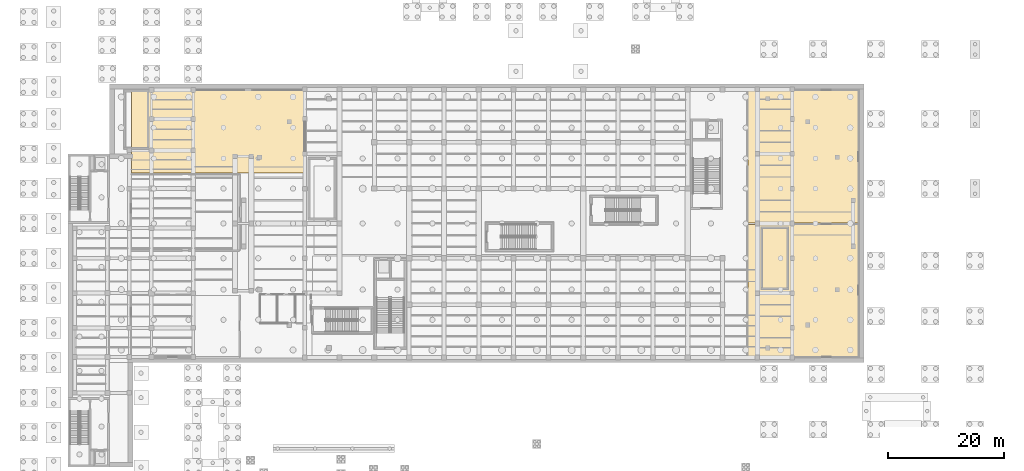
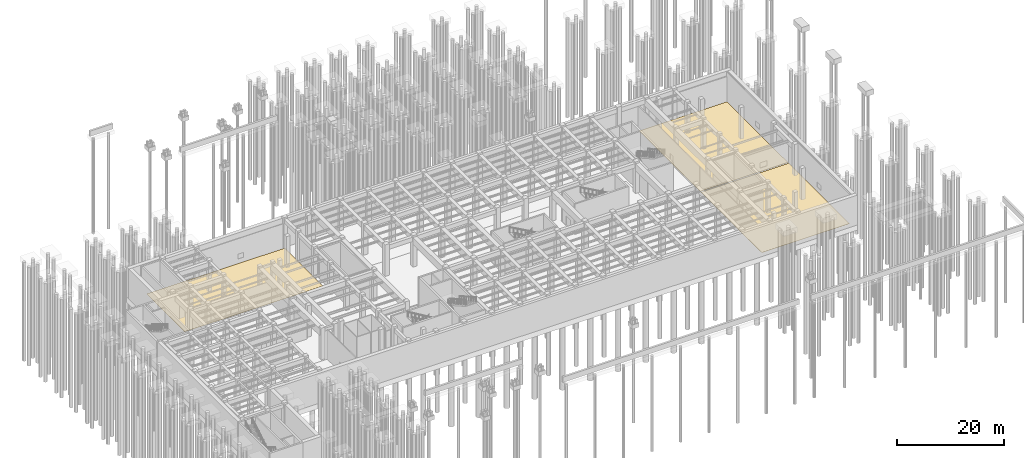
# One storey, part 29 of 30: 3 coverings.
"""IFC4 building model written with IfcOpenShell, lengths in metres."""

from ifc_helpers import new_model, si_unit, direction, frame, origin, place, context, subcontext, project, spatial, polyline, outline, extrude, material, layer, layer_set, type_object, element, save


model = new_model("IFC4")

# Units and contexts
model_context = context("Model", 3, precision=1e-05, world=origin(), true_north=direction((0.0, 1.0)))
body_context = subcontext(model_context, "Body", "Model", "MODEL_VIEW")
ifc_project = project(units=[si_unit("LENGTHUNIT", "METRE"), si_unit("AREAUNIT", "SQUARE_METRE"), si_unit("VOLUMEUNIT", "CUBIC_METRE"), si_unit("PLANEANGLEUNIT", "RADIAN"), si_unit("MASSUNIT", "GRAM", prefix="KILO")], contexts=[model_context])

# Site, building, storey
site_placement = place(None, origin())
site = spatial("IfcSite", under=ifc_project, at=site_placement, CompositionType="ELEMENT")
building_placement = place(site_placement, origin())
building = spatial("IfcBuilding", under=site, at=building_placement, Name="Kolvaren Corner Interchange", CompositionType="ELEMENT")
storey_placement = place(building_placement, frame((0.0, 0.0, -7.199951171875)))
storey = spatial("IfcBuildingStorey", under=building, at=storey_placement, Name="B1", CompositionType="ELEMENT", Elevation=-7.199951171875)

# Coverings
ifc_material_1 = material(Name="Anti-Slip Heavy-Duty Epoxy Resin Flooring")
ifc_layer_1 = layer(ifc_material_1, 0.01806640625)
ifc_layer_set_1 = layer_set([ifc_layer_1], Name="Anti-Slip Heavy-Duty Epoxy Resin Flooring")
covering_type_1 = type_object("IfcCoveringType", Name="COV-FLR-RES18", PredefinedType="FLOORING", material=ifc_layer_set_1)
covering_1_placement = place(storey_placement, origin())
element("IfcCovering", 1, at=covering_1_placement, inside=storey, type_object=covering_type_1, Name="B1 Metro Chiller and Pump Plant Floor Finish", PredefinedType="FLOORING", context=body_context, shape_type="SweptSolid", body=[
    extrude(outline(polyline([(124.3798828125, 25.080078125), (143.320068359375, 25.080078125), (143.320068359375, 47.820068359375), (124.3798828125, 47.820068359375), (124.3798828125, 25.080078125)])), origin(), (0.0, 0.0, 1.0), 0.01806640625),
])
covering_2_placement = place(storey_placement, origin())
element("IfcCovering", 2, at=covering_2_placement, inside=storey, type_object=covering_type_1, Name="B1 Tunnel Ventilation Plant Floor Finish", PredefinedType="FLOORING", context=body_context, shape_type="SweptSolid", body=[
    extrude(outline(polyline([(124.3798828125, 48.080078125), (143.320068359375, 48.080078125), (143.320068359375, 70.919921875), (124.3798828125, 70.919921875), (124.3798828125, 48.080078125)])), origin(), (0.0, 0.0, 1.0), 0.01806640625),
])
ifc_material_2 = material(Name="Polished Niger Delta Granite Terrazzo Flooring", Category="masonry")
ifc_layer_2 = layer(ifc_material_2, 0.030029296875)
ifc_layer_set_2 = layer_set([ifc_layer_2], Name="Polished Niger Delta Granite Terrazzo Flooring")
covering_type_2 = type_object("IfcCoveringType", Name="COV-FLR-TER30", PredefinedType="FLOORING", material=ifc_layer_set_2)
covering_3_placement = place(storey_placement, origin())
element("IfcCovering", 3, at=covering_3_placement, inside=storey, type_object=covering_type_2, Name="B1 Signalling Equipment Room Floor Finish", PredefinedType="FLOORING", context=body_context, shape_type="SweptSolid", body=[
    extrude(outline(polyline([(18.1298828125, 56.679931640625), (47.919921875, 56.679931640625), (47.919921875, 70.919921875), (18.1298828125, 70.919921875), (18.1298828125, 56.679931640625)])), origin(), (0.0, 0.0, 1.0), 0.030029296875),
])

save(model, "model.ifc")
